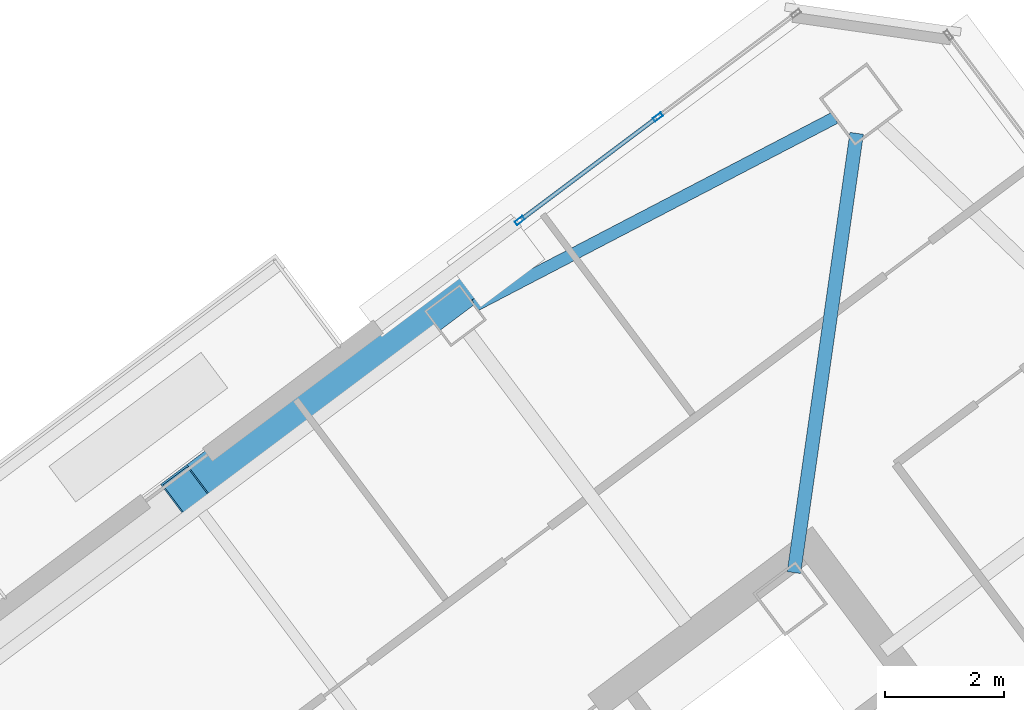
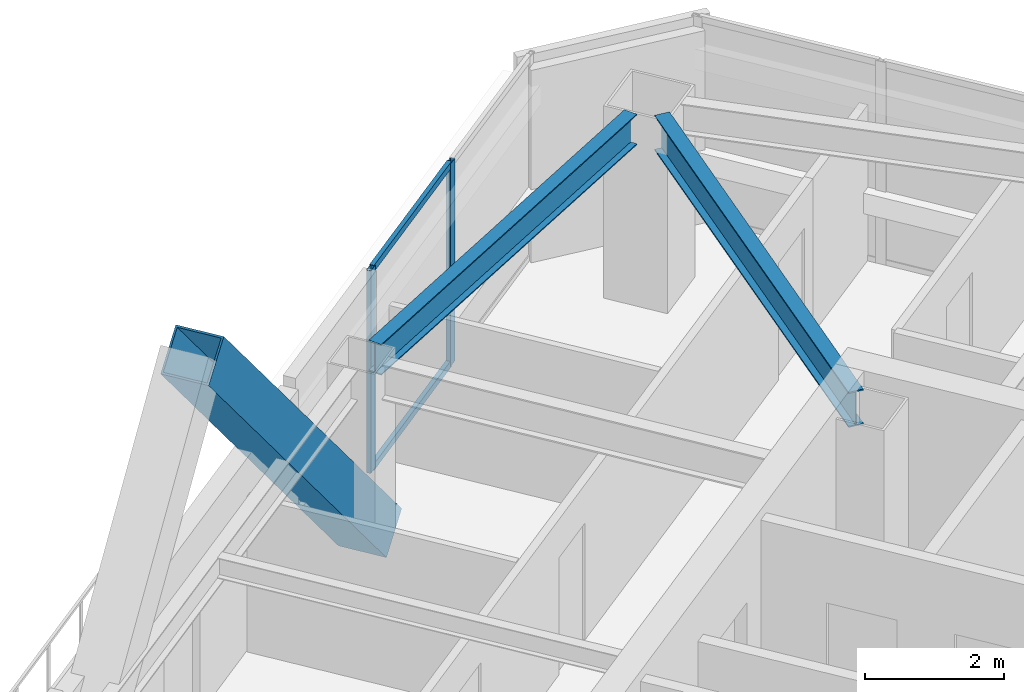
# One storey, part 26 of 39: 5 members, 2 beams, 1 element without a shape of its own.
"""IFC4 building model written with IfcOpenShell, lengths in metres."""

from ifc_helpers import new_model, si_unit, direction, frame, origin, origin_2d, place, context, subcontext, project, spatial, hollow_rectangle, i_section, extrude, material, material_profile, profile_set, type_object, element, aggregate, save


model = new_model("IFC4")

# Units and contexts
model_context = context("Model", 3, precision=1e-05, world=origin(), true_north=direction((0.0, 1.0)))
body_context = subcontext(model_context, "Body", "Model", "MODEL_VIEW")
ifc_project = project(units=[si_unit("LENGTHUNIT", "METRE"), si_unit("AREAUNIT", "SQUARE_METRE"), si_unit("VOLUMEUNIT", "CUBIC_METRE"), si_unit("PLANEANGLEUNIT", "RADIAN"), si_unit("MASSUNIT", "GRAM", prefix="KILO")], contexts=[model_context])

# Site, building, storey
site_placement = place(None, origin())
site = spatial("IfcSite", under=ifc_project, at=site_placement, CompositionType="ELEMENT")
building_placement = place(site_placement, origin())
building = spatial("IfcBuilding", under=site, at=building_placement, Name="Tashvorn Skyway Center", CompositionType="ELEMENT")
storey_placement = place(building_placement, frame((0.0, 0.0, 239.699951171875)))
storey = spatial("IfcBuildingStorey", under=building, at=storey_placement, Name="L65", CompositionType="ELEMENT", Elevation=239.699951171875)

# Beams
ifc_material_1 = material(Name="Steel ASTM A992 Grade 50", Category="steel")
ifc_material_profile_1 = material_profile(ifc_material_1, i_section(OverallWidth=0.22998046875, OverallDepth=0.616943359375, WebThickness=0.01318359375, FlangeThickness=0.022216796875, at=origin_2d()), Name="W24X94")
ifc_profile_set_1 = profile_set([ifc_material_profile_1], Name="Steel ASTM A992 Grade 50")
beam_type_1 = type_object("IfcBeamType", Name="BM-BEAM-W24X94", PredefinedType="BEAM", material=ifc_profile_set_1)
beam_1_placement = place(storey_placement, frame((116.530029296875, 49.7099609375, 3.0615234375), z_axis=(-0.141430501853, -0.989948187102, 0.0), x_axis=(0.989948187102, -0.141430501853, 0.0)))
element("IfcBeam", 1, at=beam_1_placement, inside=storey, type_object=beam_type_1, Name="Tower 2 L65 Primary Floor Girder MC-NE", PredefinedType="BEAM", context=body_context, shape_type="SweptSolid", body=[
    extrude(i_section(OverallWidth=0.22998046875, OverallDepth=0.616943359375, WebThickness=0.01318359375, FlangeThickness=0.022216796875, at=origin_2d()), origin(), (0.0, 0.0, 1.0), 7.474609375),
])
ifc_material_profile_2 = material_profile(ifc_material_1, i_section(OverallWidth=0.2109375, OverallDepth=0.5390625, WebThickness=0.01171875, FlangeThickness=0.018798828125, at=origin_2d()), Name="W21X73")
ifc_profile_set_2 = profile_set([ifc_material_profile_2], Name="Steel ASTM A992 Grade 50")
beam_type_2 = type_object("IfcBeamType", Name="BM-SPANDREL-W21X73", PredefinedType="SPANDREL", material=ifc_profile_set_2)
beam_2_placement = place(storey_placement, frame((116.1611328125, 49.97119140625, 3.1005859375), z_axis=(-0.886773234579, -0.462204749472, 0.0), x_axis=(0.462204749472, -0.886773234579, 0.0)))
element("IfcBeam", 2, at=beam_2_placement, inside=storey, type_object=beam_type_2, Name="Tower 2 L65 Spandrel Beam 07", PredefinedType="SPANDREL", context=body_context, shape_type="SweptSolid", body=[
    extrude(i_section(OverallWidth=0.2109375, OverallDepth=0.5390625, WebThickness=0.01171875, FlangeThickness=0.018798828125, at=origin_2d()), origin(), (0.0, 0.0, 1.0), 6.837158203125),
])

# Curtain wall, members
ifc_material_2 = material(Name="Thermally broken bronze-anodized aluminium 6063-T6", Category="aluminium")
curtain_wall_type = type_object("IfcCurtainWallType", Name="CW-CW-Z5", PredefinedType="NOTDEFINED", material=ifc_material_2)
curtain_wall_placement = place(storey_placement, origin())
curtain_wall = element("IfcCurtainWall", 3, at=curtain_wall_placement, inside=storey, type_object=curtain_wall_type, Name="Tower 2 L65 North Curtain Wall R Glazing Group 1", PredefinedType="NOTDEFINED")
ifc_material_profile_3 = material_profile(ifc_material_2, hollow_rectangle(XDim=0.070068359375, YDim=0.1650390625, WallThickness=0.00390625, at=origin_2d()), Name="ALU-MULL-70x165")
ifc_profile_set_3 = profile_set([ifc_material_profile_3], Name="Thermally broken bronze-anodized aluminium 6063-T6")
member_type_1 = type_object("IfcMemberType", Name="CWM-CW-Z5", PredefinedType="MULLION", material=ifc_profile_set_3)
member_1_placement = place(storey_placement, frame((110.854736328125, 48.240966796875, 0.0), z_axis=(0.0, 0.0, 1.0), x_axis=(-0.600002718021, 0.799997961477, 0.0)))
member_1 = element("IfcMember", 4, at=member_1_placement, type_object=member_type_1, Name="CW-Z5 mullion 1", PredefinedType="MULLION", context=body_context, shape_type="SweptSolid", body=[
    extrude(hollow_rectangle(XDim=0.070068359375, YDim=0.1650390625, WallThickness=0.00390625, at=origin_2d()), origin(), (0.0, 0.0, 1.0), 3.550048828125),
])
member_2_placement = place(storey_placement, frame((113.181396484375, 49.986083984375, 0.0), z_axis=(0.0, 0.0, 1.0), x_axis=(-0.600002718021, 0.799997961477, 0.0)))
member_2 = element("IfcMember", 5, at=member_2_placement, type_object=member_type_1, Name="CW-Z5 mullion 2", PredefinedType="MULLION", context=body_context, shape_type="SweptSolid", body=[
    extrude(hollow_rectangle(XDim=0.070068359375, YDim=0.1650390625, WallThickness=0.00390625, at=origin_2d()), origin(), (0.0, 0.0, 1.0), 3.550048828125),
])
ifc_material_profile_4 = material_profile(ifc_material_2, hollow_rectangle(XDim=0.070068359375, YDim=0.114990234375, WallThickness=0.00390625, at=origin_2d()), Name="ALU-TRAN-70x115")
ifc_profile_set_4 = profile_set([ifc_material_profile_4], Name="Thermally broken bronze-anodized aluminium 6063-T6")
member_type_2 = type_object("IfcMemberType", Name="CWT-CW-Z5", PredefinedType="USERDEFINED", material=ifc_profile_set_4)
member_3_placement = place(storey_placement, frame((110.8828125, 48.261962890625, 0.03515625), z_axis=(0.799958709914, 0.600055049501, 0.0), x_axis=(-0.600055049501, 0.799958709914, 0.0)))
member_3 = element("IfcMember", 6, at=member_3_placement, type_object=member_type_2, Name="CW-Z5 transom 1.1", ObjectType="TRANSOM", PredefinedType="USERDEFINED", context=body_context, shape_type="SweptSolid", body=[
    extrude(hollow_rectangle(XDim=0.070068359375, YDim=0.114990234375, WallThickness=0.00390625, at=origin_2d()), origin(), (0.0, 0.0, 1.0), 2.83837890625),
])
member_4_placement = place(storey_placement, frame((110.8828125, 48.261962890625, 3.51513671875), z_axis=(0.799958709914, 0.600055049501, 0.0), x_axis=(-0.600055049501, 0.799958709914, 0.0)))
member_4 = element("IfcMember", 7, at=member_4_placement, type_object=member_type_2, Name="CW-Z5 transom 1.2", ObjectType="TRANSOM", PredefinedType="USERDEFINED", context=body_context, shape_type="SweptSolid", body=[
    extrude(hollow_rectangle(XDim=0.070068359375, YDim=0.114990234375, WallThickness=0.00390625, at=origin_2d()), origin(), (0.0, 0.0, 1.0), 2.83837890625),
])
aggregate(curtain_wall, [member_1, member_2, member_3, member_4])

# Member
ifc_material_3 = material(Name="Steel ASTM A572 Grade 50", Category="steel")
ifc_material_profile_5 = material_profile(ifc_material_3, hollow_rectangle(XDim=0.75, YDim=0.75, WallThickness=0.031982421875, at=origin_2d()), Name="BOX750x750x32")
ifc_profile_set_5 = profile_set([ifc_material_profile_5], Name="Steel ASTM A572 Grade 50")
member_type_3 = type_object("IfcMemberType", Name="MEM-MB-750", PredefinedType="BRACE", material=ifc_profile_set_5)
member_5_placement = place(storey_placement, frame((110.451904296875, 47.56396484375, -0.449951171875), z_axis=(-0.536083060048, -0.402056002686, 0.742270788482), x_axis=(0.599993990277, -0.800004507257, 0.0)))
element("IfcMember", 8, at=member_5_placement, inside=storey, type_object=member_type_3, Name="Tower 2 Zone 6 N Chevron Mega-Brace L2", PredefinedType="BRACE", context=body_context, shape_type="SweptSolid", body=[
    extrude(hollow_rectangle(XDim=0.75, YDim=0.75, WallThickness=0.031982421875, at=origin_2d()), origin(), (0.0, 0.0, 1.0), 9.699951171875),
])

save(model, "model.ifc")
